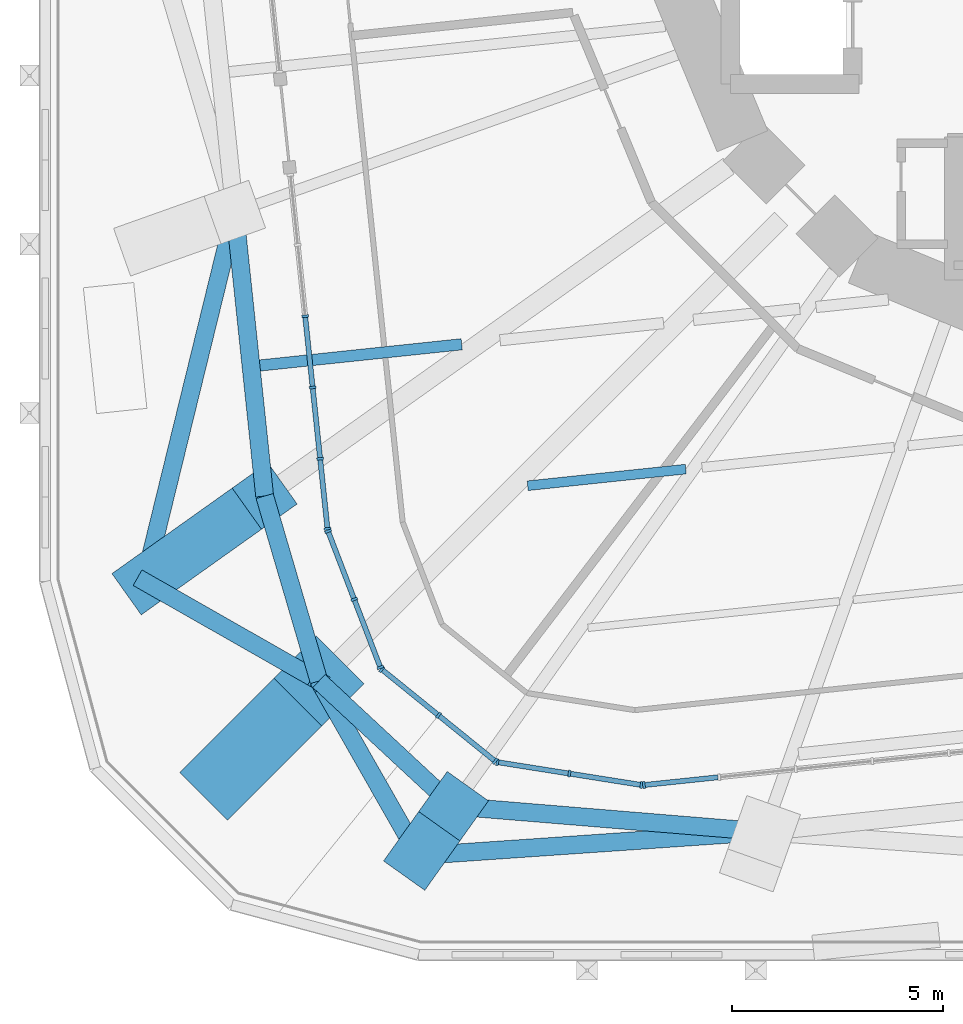
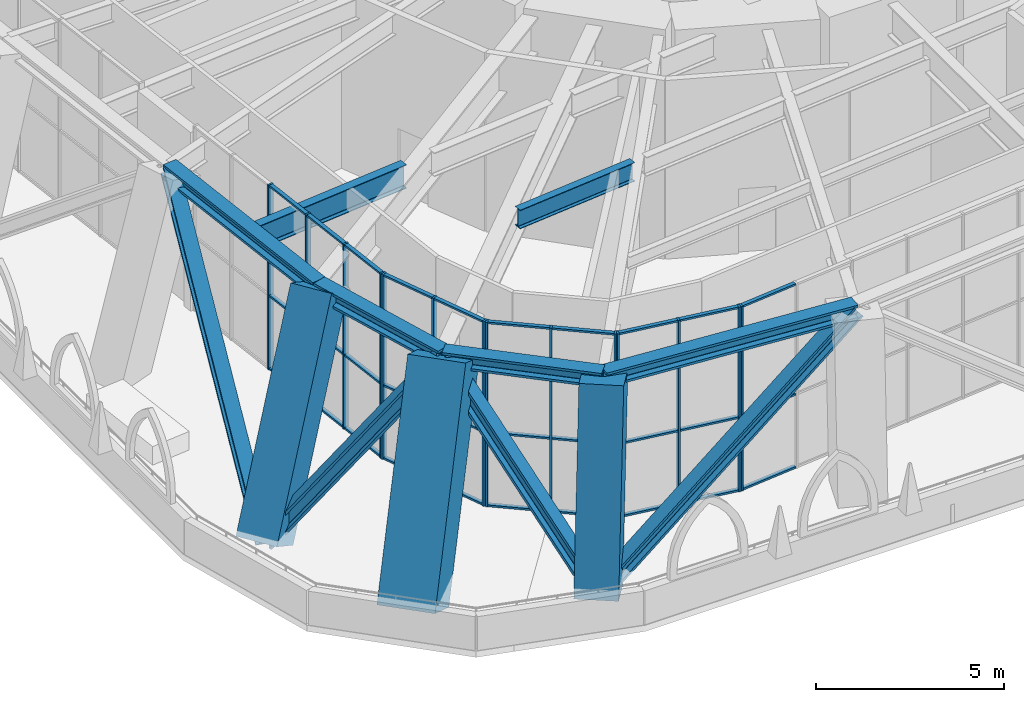
# One storey, part 1 of 20: 55 members, 2 beams, 5 elements without a shape of their own.
"""IFC4 building model written with IfcOpenShell, lengths in metres."""

from ifc_helpers import new_model, si_unit, direction, frame, origin, origin_2d, place, context, subcontext, project, spatial, rectangle, i_section, extrude, material, material_profile, profile_set, type_object, element, aggregate, save


model = new_model("IFC4")

# Units and contexts
model_context = context("Model", 3, precision=1e-05, world=origin(), true_north=direction((0.0, 1.0)))
body_context = subcontext(model_context, "Body", "Model", "MODEL_VIEW")
ifc_project = project(units=[si_unit("LENGTHUNIT", "METRE"), si_unit("AREAUNIT", "SQUARE_METRE"), si_unit("VOLUMEUNIT", "CUBIC_METRE"), si_unit("PLANEANGLEUNIT", "RADIAN"), si_unit("MASSUNIT", "GRAM", prefix="KILO")], contexts=[model_context])

# Site, building, storey
site_placement = place(None, origin())
site = spatial("IfcSite", under=ifc_project, at=site_placement, CompositionType="ELEMENT")
building_placement = place(site_placement, origin())
building = spatial("IfcBuilding", under=site, at=building_placement, Name="Nakasero Lantern House", CompositionType="ELEMENT")
storey_placement = place(building_placement, frame((0.0, 0.0, 54.5)))
storey = spatial("IfcBuildingStorey", under=building, at=storey_placement, Name="L13", CompositionType="ELEMENT", Elevation=54.5)

# Members
ifc_material_1 = material(Name="Steel S355", Category="steel")
ifc_material_profile_1 = material_profile(ifc_material_1, i_section(OverallWidth=0.424072265625, OverallDepth=0.474609375, WebThickness=0.047607421875, FlangeThickness=0.076904296875, FilletRadius=0.01513671875, at=origin_2d()), Name="UC 356x406x634")
ifc_profile_set_1 = profile_set([ifc_material_profile_1], Name="Steel S355")
member_type_1 = type_object("IfcMemberType", Name="Belt truss chord UC 356x406x634", PredefinedType="CHORD", material=ifc_profile_set_1)
member_1_placement = place(storey_placement, frame((-20.35498046875, -7.2373046875, 5.562744140625), z_axis=(0.10452524939, -0.994522233155, 0.0), x_axis=(0.994522233155, 0.10452524939, 0.0)))
element("IfcMember", 1, at=member_1_placement, inside=storey, type_object=member_type_1, Name="Belt truss top chord T1 B2-C16T", PredefinedType="CHORD", context=body_context, shape_type="SweptSolid", body=[
    extrude(i_section(OverallWidth=0.424072265625, OverallDepth=0.474609375, WebThickness=0.047607421875, FlangeThickness=0.076904296875, FilletRadius=0.01513671875, at=origin_2d()), origin(), (0.0, 0.0, 1.0), 6.771240234375),
])
member_2_placement = place(storey_placement, frame((-19.647216796875, -13.971435546875, 5.562744140625), z_axis=(0.28161710443, -0.959526865957, 0.0), x_axis=(0.959526865957, 0.28161710443, 0.0)))
element("IfcMember", 2, at=member_2_placement, inside=storey, type_object=member_type_1, Name="Belt truss top chord T1 B2-C17T", PredefinedType="CHORD", context=body_context, shape_type="SweptSolid", body=[
    extrude(i_section(OverallWidth=0.424072265625, OverallDepth=0.474609375, WebThickness=0.047607421875, FlangeThickness=0.076904296875, FilletRadius=0.01513671875, at=origin_2d()), origin(), (0.0, 0.0, 1.0), 4.572998046875),
])
member_3_placement = place(storey_placement, frame((-18.359375, -18.359375, 5.562744140625), z_axis=(0.732370510336, -0.680906333933, 0.0), x_axis=(0.680906333933, 0.732370510336, 0.0)))
element("IfcMember", 3, at=member_3_placement, inside=storey, type_object=member_type_1, Name="Belt truss top chord T1 B2-C18T", PredefinedType="CHORD", context=body_context, shape_type="SweptSolid", body=[
    extrude(i_section(OverallWidth=0.424072265625, OverallDepth=0.474609375, WebThickness=0.047607421875, FlangeThickness=0.076904296875, FilletRadius=0.01513671875, at=origin_2d()), origin(), (0.0, 0.0, 1.0), 4.359619140625),
])
member_4_placement = place(storey_placement, frame((-15.16650390625, -21.327880859375, 5.562744140625), z_axis=(0.996618261264, -0.08217080574, 0.0), x_axis=(0.08217080574, 0.996618261264, 0.0)))
element("IfcMember", 4, at=member_4_placement, inside=storey, type_object=member_type_1, Name="Belt truss top chord T1 B2-C19T", PredefinedType="CHORD", context=body_context, shape_type="SweptSolid", body=[
    extrude(i_section(OverallWidth=0.424072265625, OverallDepth=0.474609375, WebThickness=0.047607421875, FlangeThickness=0.076904296875, FilletRadius=0.01513671875, at=origin_2d()), origin(), (0.0, 0.0, 1.0), 7.39208984375),
])
ifc_material_2 = material(Name="Steel S355", Category="steel")
ifc_material_profile_2 = material_profile(ifc_material_2, i_section(OverallWidth=0.424072265625, OverallDepth=0.474609375, WebThickness=0.047607421875, FlangeThickness=0.076904296875, FilletRadius=0.01513671875, at=origin_2d()), Name="UC 356x406x634")
ifc_profile_set_2 = profile_set([ifc_material_profile_2], Name="Steel S355")
member_type_2 = type_object("IfcMemberType", Name="Belt truss diagonal UC 356x406x634", PredefinedType="BRACE", material=ifc_profile_set_2)
member_5_placement = place(storey_placement, frame((-20.35498046875, -7.2373046875, 5.562744140625), z_axis=(-0.197980863346, -0.808778641842, -0.553787582244), x_axis=(0.971321551042, -0.237769729952, 0.0)))
element("IfcMember", 5, at=member_5_placement, inside=storey, type_object=member_type_2, Name="Belt truss diagonal T1-16", PredefinedType="BRACE", context=body_context, shape_type="SweptSolid", body=[
    extrude(i_section(OverallWidth=0.424072265625, OverallDepth=0.474609375, WebThickness=0.047607421875, FlangeThickness=0.076904296875, FilletRadius=0.01513671875, at=origin_2d()), origin(), (0.0, 0.0, 1.0), 10.83447265625),
])
for number, where, z_axis, x_axis, name in (
    (6, (-22.5, -16.0, -0.437255859375), (0.540386618811, -0.307918412983, 0.783050798579), (0.495079306219, 0.86884778906, 0.0), "Belt truss diagonal T1-17"),
    (7, (-18.359375, -18.359375, 5.562744140625), (0.307918412983, -0.540386618811, -0.783050798579), (0.86884778906, 0.495079306219, 0.0), "Belt truss diagonal T1-18"),
):
    element("IfcMember", number, at=place(storey_placement, frame(where, z_axis=z_axis, x_axis=x_axis)), inside=storey, type_object=member_type_2, Name=name, PredefinedType="BRACE", context=body_context, shape_type="SweptSolid", body=[
        extrude(i_section(OverallWidth=0.424072265625, OverallDepth=0.474609375, WebThickness=0.047607421875, FlangeThickness=0.076904296875, FilletRadius=0.01513671875, at=origin_2d()), origin(), (0.0, 0.0, 1.0), 7.662353515625),
    ])
member_6_placement = place(storey_placement, frame((-16.0, -22.5, -0.437255859375), z_axis=(0.805810402985, 0.055487926827, 0.589568218629), x_axis=(-0.068697102838, 0.997637563478, 0.0)))
element("IfcMember", 8, at=member_6_placement, inside=storey, type_object=member_type_2, Name="Belt truss diagonal T1-19", PredefinedType="BRACE", context=body_context, shape_type="SweptSolid", body=[
    extrude(i_section(OverallWidth=0.424072265625, OverallDepth=0.474609375, WebThickness=0.047607421875, FlangeThickness=0.076904296875, FilletRadius=0.01513671875, at=origin_2d()), origin(), (0.0, 0.0, 1.0), 10.177001953125),
])

# Beams
ifc_material_3 = material(Name="Steel S355", Category="steel")
ifc_material_profile_3 = material_profile(ifc_material_3, i_section(OverallWidth=0.22900390625, OverallDepth=0.6123046875, WebThickness=0.011962890625, FlangeThickness=0.01953125, FilletRadius=0.0126953125, at=origin_2d()), Name="UB 610x229x125")
ifc_profile_set_3 = profile_set([ifc_material_profile_3], Name="Steel S355")
beam_type_1 = type_object("IfcBeamType", Name="Infill beam UB 610x229x125", PredefinedType="JOIST", material=ifc_profile_set_3)
beam_1_placement = place(storey_placement, frame((-13.40869140625, -13.726806640625, 5.493896484375), z_axis=(0.994518933326, 0.104556641375, 0.0), x_axis=(-0.104556641375, 0.994518933326, 0.0)))
element("IfcBeam", 9, at=beam_1_placement, inside=storey, type_object=beam_type_1, Name="Infill beam L14 04.1", PredefinedType="JOIST", context=body_context, shape_type="SweptSolid", body=[
    extrude(i_section(OverallWidth=0.22900390625, OverallDepth=0.6123046875, WebThickness=0.011962890625, FlangeThickness=0.01953125, FilletRadius=0.0126953125, at=origin_2d()), origin(), (0.0, 0.0, 1.0), 3.768798828125),
])
ifc_material_4 = material(Name="Steel S355", Category="steel")
ifc_material_profile_4 = material_profile(ifc_material_4, i_section(OverallWidth=0.2666015625, OverallDepth=0.76220703125, WebThickness=0.014404296875, FlangeThickness=0.021484375, FilletRadius=0.0166015625, at=origin_2d()), Name="UB 762x267x173")
ifc_profile_set_4 = profile_set([ifc_material_profile_4], Name="Steel S355")
beam_type_2 = type_object("IfcBeamType", Name="Infill beam UB 762x267x173", PredefinedType="JOIST", material=ifc_profile_set_4)
beam_2_placement = place(storey_placement, frame((-19.759521484375, -10.875, 5.4189453125), z_axis=(0.994523230839, 0.104515756327, 0.0), x_axis=(-0.104515756327, 0.994523230839, 0.0)))
element("IfcBeam", 10, at=beam_2_placement, inside=storey, type_object=beam_type_2, Name="Infill beam L14 05.1", PredefinedType="JOIST", context=body_context, shape_type="SweptSolid", body=[
    extrude(i_section(OverallWidth=0.2666015625, OverallDepth=0.76220703125, WebThickness=0.014404296875, FlangeThickness=0.021484375, FilletRadius=0.0166015625, at=origin_2d()), origin(), (0.0, 0.0, 1.0), 4.81201171875),
])

# Curtain wall, members
ifc_material_5 = material(Name="Aluminium 6063-T6 and glass", Category="aluminium")
curtain_wall_type = type_object("IfcCurtainWallType", Name="Sky lounge glazing CW-3", PredefinedType="USERDEFINED", material=ifc_material_5)
curtain_wall_1_placement = place(storey_placement, origin())
curtain_wall_1 = element("IfcCurtainWall", 11, at=curtain_wall_1_placement, inside=storey, type_object=curtain_wall_type, Name="Curtain wall CW-3 L13", ObjectType="STICK CURTAIN WALL", PredefinedType="USERDEFINED")
ifc_material_6 = material(Name="Aluminium 6063-T6", Category="aluminium")
ifc_material_profile_5 = material_profile(ifc_material_6, rectangle(XDim=0.06005859375, YDim=0.159912109375, at=origin_2d()), Name="CW-3 mullion 60x160")
ifc_profile_set_5 = profile_set([ifc_material_profile_5], Name="Aluminium 6063-T6")
member_type_3 = type_object("IfcMemberType", Name="Mullion CW-3", PredefinedType="MULLION", material=ifc_profile_set_5)
member_7_placement = place(storey_placement, frame((-18.686767578125, -9.70654296875, 0.0), z_axis=(0.0, 0.0, 1.0), x_axis=(0.104528463268, -0.994521895368, 0.0)))
member_7 = element("IfcMember", 12, at=member_7_placement, type_object=member_type_3, Name="CW-3 mullion 3", PredefinedType="MULLION", context=body_context, shape_type="SweptSolid", body=[
    extrude(rectangle(XDim=0.06005859375, YDim=0.159912109375, at=origin_2d()), origin(), (0.0, 0.0, 1.0), 6.0),
])
member_8_placement = place(storey_placement, frame((-18.509033203125, -11.397216796875, 0.0), z_axis=(0.0, 0.0, 1.0), x_axis=(0.104528463268, -0.994521895368, 0.0)))
member_8 = element("IfcMember", 13, at=member_8_placement, type_object=member_type_3, Name="CW-3 mullion 4", PredefinedType="MULLION", context=body_context, shape_type="SweptSolid", body=[
    extrude(rectangle(XDim=0.06005859375, YDim=0.159912109375, at=origin_2d()), origin(), (0.0, 0.0, 1.0), 6.0),
])
member_9_placement = place(storey_placement, frame((-18.331298828125, -13.087890625, 0.0), z_axis=(0.0, 0.0, 1.0), x_axis=(0.104528463268, -0.994521895368, 0.0)))
member_9 = element("IfcMember", 14, at=member_9_placement, type_object=member_type_3, Name="CW-3 mullion 5", PredefinedType="MULLION", context=body_context, shape_type="SweptSolid", body=[
    extrude(rectangle(XDim=0.06005859375, YDim=0.159912109375, at=origin_2d()), origin(), (0.0, 0.0, 1.0), 6.0),
])
member_10_placement = place(storey_placement, frame((-18.15673828125, -14.748779296875, 0.0), z_axis=(0.0, 0.0, 1.0), x_axis=(0.104528463268, -0.994521895368, 0.0)))
member_10 = element("IfcMember", 15, at=member_10_placement, type_object=member_type_3, Name="CW-3 mullion 6", PredefinedType="MULLION", context=body_context, shape_type="SweptSolid", body=[
    extrude(rectangle(XDim=0.06005859375, YDim=0.159912109375, at=origin_2d()), origin(), (0.0, 0.0, 1.0), 6.0),
])

curtain_wall_2_placement = place(storey_placement, origin())
curtain_wall_2 = element("IfcCurtainWall", 16, at=curtain_wall_2_placement, inside=storey, type_object=curtain_wall_type, Name="Curtain wall CW-3 L13", ObjectType="STICK CURTAIN WALL", PredefinedType="USERDEFINED")
member_11_placement = place(storey_placement, frame((-18.142822265625, -14.806640625, 0.0), z_axis=(0.0, 0.0, 1.0), x_axis=(0.358367949545, -0.933580426497, 0.0)))
member_11 = element("IfcMember", 17, at=member_11_placement, type_object=member_type_3, Name="CW-3 mullion 1", PredefinedType="MULLION", context=body_context, shape_type="SweptSolid", body=[
    extrude(rectangle(XDim=0.06005859375, YDim=0.159912109375, at=origin_2d()), origin(), (0.0, 0.0, 1.0), 6.0),
])
member_12_placement = place(storey_placement, frame((-17.52294921875, -16.42138671875, 0.0), z_axis=(0.0, 0.0, 1.0), x_axis=(0.358367949545, -0.933580426497, 0.0)))
member_12 = element("IfcMember", 18, at=member_12_placement, type_object=member_type_3, Name="CW-3 mullion 2", PredefinedType="MULLION", context=body_context, shape_type="SweptSolid", body=[
    extrude(rectangle(XDim=0.06005859375, YDim=0.159912109375, at=origin_2d()), origin(), (0.0, 0.0, 1.0), 6.0),
])
member_13_placement = place(storey_placement, frame((-16.903076171875, -18.0361328125, 0.0), z_axis=(0.0, 0.0, 1.0), x_axis=(0.358367949545, -0.933580426497, 0.0)))
member_13 = element("IfcMember", 19, at=member_13_placement, type_object=member_type_3, Name="CW-3 mullion 3", PredefinedType="MULLION", context=body_context, shape_type="SweptSolid", body=[
    extrude(rectangle(XDim=0.06005859375, YDim=0.159912109375, at=origin_2d()), origin(), (0.0, 0.0, 1.0), 6.0),
])

curtain_wall_3_placement = place(storey_placement, origin())
curtain_wall_3 = element("IfcCurtainWall", 20, at=curtain_wall_3_placement, inside=storey, type_object=curtain_wall_type, Name="Curtain wall CW-3 L13", ObjectType="STICK CURTAIN WALL", PredefinedType="USERDEFINED")
member_14_placement = place(storey_placement, frame((-16.869140625, -18.0830078125, 0.0), z_axis=(0.0, 0.0, 1.0), x_axis=(0.777145961457, -0.62932039105, 0.0)))
member_14 = element("IfcMember", 21, at=member_14_placement, type_object=member_type_3, Name="CW-3 mullion 1", PredefinedType="MULLION", context=body_context, shape_type="SweptSolid", body=[
    extrude(rectangle(XDim=0.06005859375, YDim=0.159912109375, at=origin_2d()), origin(), (0.0, 0.0, 1.0), 6.0),
])
member_15_placement = place(storey_placement, frame((-15.52490234375, -19.171630859375, 0.0), z_axis=(0.0, 0.0, 1.0), x_axis=(0.777145961457, -0.62932039105, 0.0)))
member_15 = element("IfcMember", 22, at=member_15_placement, type_object=member_type_3, Name="CW-3 mullion 2", PredefinedType="MULLION", context=body_context, shape_type="SweptSolid", body=[
    extrude(rectangle(XDim=0.06005859375, YDim=0.159912109375, at=origin_2d()), origin(), (0.0, 0.0, 1.0), 6.0),
])
member_16_placement = place(storey_placement, frame((-14.1806640625, -20.26025390625, 0.0), z_axis=(0.0, 0.0, 1.0), x_axis=(0.777145961457, -0.62932039105, 0.0)))
member_16 = element("IfcMember", 23, at=member_16_placement, type_object=member_type_3, Name="CW-3 mullion 3", PredefinedType="MULLION", context=body_context, shape_type="SweptSolid", body=[
    extrude(rectangle(XDim=0.06005859375, YDim=0.159912109375, at=origin_2d()), origin(), (0.0, 0.0, 1.0), 6.0),
])

curtain_wall_4_placement = place(storey_placement, origin())
curtain_wall_4 = element("IfcCurtainWall", 24, at=curtain_wall_4_placement, inside=storey, type_object=curtain_wall_type, Name="Curtain wall CW-3 L13", ObjectType="STICK CURTAIN WALL", PredefinedType="USERDEFINED")
member_17_placement = place(storey_placement, frame((-14.127685546875, -20.28369140625, 0.0), z_axis=(0.0, 0.0, 1.0), x_axis=(0.987688340595, -0.15643446504, 0.0)))
member_17 = element("IfcMember", 25, at=member_17_placement, type_object=member_type_3, Name="CW-3 mullion 1", PredefinedType="MULLION", context=body_context, shape_type="SweptSolid", body=[
    extrude(rectangle(XDim=0.06005859375, YDim=0.159912109375, at=origin_2d()), origin(), (0.0, 0.0, 1.0), 6.0),
])
member_18_placement = place(storey_placement, frame((-12.419189453125, -20.55419921875, 0.0), z_axis=(0.0, 0.0, 1.0), x_axis=(0.987688340595, -0.15643446504, 0.0)))
member_18 = element("IfcMember", 26, at=member_18_placement, type_object=member_type_3, Name="CW-3 mullion 2", PredefinedType="MULLION", context=body_context, shape_type="SweptSolid", body=[
    extrude(rectangle(XDim=0.06005859375, YDim=0.159912109375, at=origin_2d()), origin(), (0.0, 0.0, 1.0), 6.0),
])
member_19_placement = place(storey_placement, frame((-10.7109375, -20.824951171875, 0.0), z_axis=(0.0, 0.0, 1.0), x_axis=(0.987688340595, -0.15643446504, 0.0)))
member_19 = element("IfcMember", 27, at=member_19_placement, type_object=member_type_3, Name="CW-3 mullion 3", PredefinedType="MULLION", context=body_context, shape_type="SweptSolid", body=[
    extrude(rectangle(XDim=0.06005859375, YDim=0.159912109375, at=origin_2d()), origin(), (0.0, 0.0, 1.0), 6.0),
])

# Curtain wall, member
curtain_wall_5_placement = place(storey_placement, origin())
curtain_wall_5 = element("IfcCurtainWall", 28, at=curtain_wall_5_placement, inside=storey, type_object=curtain_wall_type, Name="Curtain wall CW-3 L13", ObjectType="STICK CURTAIN WALL", PredefinedType="USERDEFINED")
member_20_placement = place(storey_placement, frame((-10.6513671875, -20.826416015625, 0.0), z_axis=(0.0, 0.0, 1.0), x_axis=(0.994521895368, 0.104528463268, 0.0)))
member_20 = element("IfcMember", 29, at=member_20_placement, type_object=member_type_3, Name="CW-3 mullion 1", PredefinedType="MULLION", context=body_context, shape_type="SweptSolid", body=[
    extrude(rectangle(XDim=0.06005859375, YDim=0.159912109375, at=origin_2d()), origin(), (0.0, 0.0, 1.0), 6.0),
])

# Members
ifc_material_7 = material(Name="Concrete C50/60", Category="concrete")
ifc_material_profile_6 = material_profile(ifc_material_7, rectangle(XDim=1.199951171875, YDim=1.199951171875, at=origin_2d()), Name="RC 1200x1200")
ifc_profile_set_6 = profile_set([ifc_material_profile_6], Name="Concrete C50/60")
member_type_4 = type_object("IfcMemberType", Name="Raking column RC 1200x1200 C50/60", PredefinedType="STRUT", material=ifc_profile_set_6)
member_21_placement = place(storey_placement, frame((-22.5, -16.0, -0.437255859375), z_axis=(0.410680992611, 0.292028101635, 0.863748059427), x_axis=(-0.579508345901, 0.814966304231, 0.0)))
element("IfcMember", 30, at=member_21_placement, inside=storey, type_object=member_type_4, Name="Raking column B2-C17T L13", PredefinedType="STRUT", context=body_context, shape_type="SweptSolid", body=[
    extrude(rectangle(XDim=1.199951171875, YDim=1.199951171875, at=origin_2d()), origin(), (0.0, 0.0, 1.0), 6.946533203125),
])
member_22_placement = place(storey_placement, frame((-16.0, -22.5, -0.437255859375), z_axis=(0.135089077411, 0.189971488181, 0.972451425441), x_axis=(-0.814958887641, 0.579518775757, 0.0)))
element("IfcMember", 31, at=member_22_placement, inside=storey, type_object=member_type_4, Name="Raking column B2-C19T L13", PredefinedType="STRUT", context=body_context, shape_type="SweptSolid", body=[
    extrude(rectangle(XDim=1.199951171875, YDim=1.199951171875, at=origin_2d()), origin(), (0.0, 0.0, 1.0), 6.169921875),
])
ifc_material_8 = material(Name="Concrete C50/60", Category="concrete")
ifc_material_profile_7 = material_profile(ifc_material_8, rectangle(XDim=1.60009765625, YDim=1.60009765625, at=origin_2d()), Name="RC 1600x1600")
ifc_profile_set_7 = profile_set([ifc_material_profile_7], Name="Concrete C50/60")
member_type_5 = type_object("IfcMemberType", Name="Raking column RC 1600x1600 C50/60", PredefinedType="STRUT", material=ifc_profile_set_7)
member_23_placement = place(storey_placement, frame((-20.59619140625, -20.59619140625, -0.437255859375), z_axis=(0.329776587984, 0.329776587984, 0.88458736371), x_axis=(-0.707106781187, 0.707106781187, 0.0)))
element("IfcMember", 32, at=member_23_placement, inside=storey, type_object=member_type_5, Name="Raking column B2-C18T L13", PredefinedType="STRUT", context=body_context, shape_type="SweptSolid", body=[
    extrude(rectangle(XDim=1.60009765625, YDim=1.60009765625, at=origin_2d()), origin(), (0.0, 0.0, 1.0), 6.78271484375),
])

# Member
ifc_material_9 = material(Name="Aluminium 6063-T6", Category="aluminium")
ifc_material_profile_8 = material_profile(ifc_material_9, rectangle(XDim=0.06005859375, YDim=0.1201171875, at=origin_2d()), Name="CW-3 transom 60x120")
ifc_profile_set_8 = profile_set([ifc_material_profile_8], Name="Aluminium 6063-T6")
member_type_6 = type_object("IfcMemberType", Name="Transom CW-3", PredefinedType="USERDEFINED", material=ifc_profile_set_8)
member_24_placement = place(storey_placement, frame((-18.68359375, -9.736328125, 0.030029296875), z_axis=(0.104498811264, -0.994525011473, 0.0), x_axis=(0.0, 0.0, 1.0)))
member_24 = element("IfcMember", 33, at=member_24_placement, type_object=member_type_6, Name="CW-3 transom 3.1", ObjectType="TRANSOM", PredefinedType="USERDEFINED", context=body_context, shape_type="SweptSolid", body=[
    extrude(rectangle(XDim=0.06005859375, YDim=0.1201171875, at=origin_2d()), origin(), (0.0, 0.0, 1.0), 1.64013671875),
])

member_25_placement = place(storey_placement, frame((-18.68359375, -9.736328125, 2.39990234375), z_axis=(0.104498811264, -0.994525011473, 0.0), x_axis=(0.0, 0.0, 1.0)))
member_25 = element("IfcMember", 34, at=member_25_placement, type_object=member_type_6, Name="CW-3 transom 3.2", ObjectType="TRANSOM", PredefinedType="USERDEFINED", context=body_context, shape_type="SweptSolid", body=[
    extrude(rectangle(XDim=0.06005859375, YDim=0.1201171875, at=origin_2d()), origin(), (0.0, 0.0, 1.0), 1.64013671875),
])

member_26_placement = place(storey_placement, frame((-18.68359375, -9.736328125, 5.969970703125), z_axis=(0.104498811264, -0.994525011473, 0.0), x_axis=(0.0, 0.0, 1.0)))
member_26 = element("IfcMember", 35, at=member_26_placement, type_object=member_type_6, Name="CW-3 transom 3.3", ObjectType="TRANSOM", PredefinedType="USERDEFINED", context=body_context, shape_type="SweptSolid", body=[
    extrude(rectangle(XDim=0.06005859375, YDim=0.1201171875, at=origin_2d()), origin(), (0.0, 0.0, 1.0), 1.64013671875),
])

member_27_placement = place(storey_placement, frame((-18.505859375, -11.427001953125, 0.030029296875), z_axis=(0.104498811264, -0.994525011473, 0.0), x_axis=(0.0, 0.0, 1.0)))
member_27 = element("IfcMember", 36, at=member_27_placement, type_object=member_type_6, Name="CW-3 transom 4.1", ObjectType="TRANSOM", PredefinedType="USERDEFINED", context=body_context, shape_type="SweptSolid", body=[
    extrude(rectangle(XDim=0.06005859375, YDim=0.1201171875, at=origin_2d()), origin(), (0.0, 0.0, 1.0), 1.64013671875),
])

member_28_placement = place(storey_placement, frame((-18.505859375, -11.427001953125, 2.39990234375), z_axis=(0.104498811264, -0.994525011473, 0.0), x_axis=(0.0, 0.0, 1.0)))
member_28 = element("IfcMember", 37, at=member_28_placement, type_object=member_type_6, Name="CW-3 transom 4.2", ObjectType="TRANSOM", PredefinedType="USERDEFINED", context=body_context, shape_type="SweptSolid", body=[
    extrude(rectangle(XDim=0.06005859375, YDim=0.1201171875, at=origin_2d()), origin(), (0.0, 0.0, 1.0), 1.64013671875),
])

member_29_placement = place(storey_placement, frame((-18.505859375, -11.427001953125, 5.969970703125), z_axis=(0.104498811264, -0.994525011473, 0.0), x_axis=(0.0, 0.0, 1.0)))
member_29 = element("IfcMember", 38, at=member_29_placement, type_object=member_type_6, Name="CW-3 transom 4.3", ObjectType="TRANSOM", PredefinedType="USERDEFINED", context=body_context, shape_type="SweptSolid", body=[
    extrude(rectangle(XDim=0.06005859375, YDim=0.1201171875, at=origin_2d()), origin(), (0.0, 0.0, 1.0), 1.64013671875),
])

member_30_placement = place(storey_placement, frame((-18.328125, -13.11767578125, 0.030029296875), z_axis=(0.104487428624, -0.994526207427, 0.0), x_axis=(0.0, 0.0, 1.0)))
member_30 = element("IfcMember", 39, at=member_30_placement, type_object=member_type_6, Name="CW-3 transom 5.1", ObjectType="TRANSOM", PredefinedType="USERDEFINED", context=body_context, shape_type="SweptSolid", body=[
    extrude(rectangle(XDim=0.06005859375, YDim=0.1201171875, at=origin_2d()), origin(), (0.0, 0.0, 1.0), 1.60986328125),
])

member_31_placement = place(storey_placement, frame((-18.328125, -13.11767578125, 2.39990234375), z_axis=(0.104487428624, -0.994526207427, 0.0), x_axis=(0.0, 0.0, 1.0)))
member_31 = element("IfcMember", 40, at=member_31_placement, type_object=member_type_6, Name="CW-3 transom 5.2", ObjectType="TRANSOM", PredefinedType="USERDEFINED", context=body_context, shape_type="SweptSolid", body=[
    extrude(rectangle(XDim=0.06005859375, YDim=0.1201171875, at=origin_2d()), origin(), (0.0, 0.0, 1.0), 1.60986328125),
])

member_32_placement = place(storey_placement, frame((-18.328125, -13.11767578125, 5.969970703125), z_axis=(0.104487428624, -0.994526207427, 0.0), x_axis=(0.0, 0.0, 1.0)))
member_32 = element("IfcMember", 41, at=member_32_placement, type_object=member_type_6, Name="CW-3 transom 5.3", ObjectType="TRANSOM", PredefinedType="USERDEFINED", context=body_context, shape_type="SweptSolid", body=[
    extrude(rectangle(XDim=0.06005859375, YDim=0.1201171875, at=origin_2d()), origin(), (0.0, 0.0, 1.0), 1.60986328125),
])

aggregate(curtain_wall_1, [member_7, member_8, member_9, member_10, member_24, member_25, member_26, member_27, member_28, member_29, member_30, member_31, member_32])

member_33_placement = place(storey_placement, frame((-18.132080078125, -14.83447265625, 0.030029296875), z_axis=(0.358371535133, -0.933579050111, 0.0), x_axis=(0.0, 0.0, 1.0)))
member_33 = element("IfcMember", 42, at=member_33_placement, type_object=member_type_6, Name="CW-3 transom 1.1", ObjectType="TRANSOM", PredefinedType="USERDEFINED", context=body_context, shape_type="SweptSolid", body=[
    extrude(rectangle(XDim=0.06005859375, YDim=0.1201171875, at=origin_2d()), origin(), (0.0, 0.0, 1.0), 1.669677734375),
])

member_34_placement = place(storey_placement, frame((-18.132080078125, -14.83447265625, 2.39990234375), z_axis=(0.358371535133, -0.933579050111, 0.0), x_axis=(0.0, 0.0, 1.0)))
member_34 = element("IfcMember", 43, at=member_34_placement, type_object=member_type_6, Name="CW-3 transom 1.2", ObjectType="TRANSOM", PredefinedType="USERDEFINED", context=body_context, shape_type="SweptSolid", body=[
    extrude(rectangle(XDim=0.06005859375, YDim=0.1201171875, at=origin_2d()), origin(), (0.0, 0.0, 1.0), 1.669677734375),
])

member_35_placement = place(storey_placement, frame((-18.132080078125, -14.83447265625, 5.969970703125), z_axis=(0.358371535133, -0.933579050111, 0.0), x_axis=(0.0, 0.0, 1.0)))
member_35 = element("IfcMember", 44, at=member_35_placement, type_object=member_type_6, Name="CW-3 transom 1.3", ObjectType="TRANSOM", PredefinedType="USERDEFINED", context=body_context, shape_type="SweptSolid", body=[
    extrude(rectangle(XDim=0.06005859375, YDim=0.1201171875, at=origin_2d()), origin(), (0.0, 0.0, 1.0), 1.669677734375),
])

member_36_placement = place(storey_placement, frame((-17.51220703125, -16.449462890625, 0.030029296875), z_axis=(0.358371535133, -0.933579050111, 0.0), x_axis=(0.0, 0.0, 1.0)))
member_36 = element("IfcMember", 45, at=member_36_placement, type_object=member_type_6, Name="CW-3 transom 2.1", ObjectType="TRANSOM", PredefinedType="USERDEFINED", context=body_context, shape_type="SweptSolid", body=[
    extrude(rectangle(XDim=0.06005859375, YDim=0.1201171875, at=origin_2d()), origin(), (0.0, 0.0, 1.0), 1.669677734375),
])

member_37_placement = place(storey_placement, frame((-17.51220703125, -16.449462890625, 2.39990234375), z_axis=(0.358371535133, -0.933579050111, 0.0), x_axis=(0.0, 0.0, 1.0)))
member_37 = element("IfcMember", 46, at=member_37_placement, type_object=member_type_6, Name="CW-3 transom 2.2", ObjectType="TRANSOM", PredefinedType="USERDEFINED", context=body_context, shape_type="SweptSolid", body=[
    extrude(rectangle(XDim=0.06005859375, YDim=0.1201171875, at=origin_2d()), origin(), (0.0, 0.0, 1.0), 1.669677734375),
])

member_38_placement = place(storey_placement, frame((-17.51220703125, -16.449462890625, 5.969970703125), z_axis=(0.358371535133, -0.933579050111, 0.0), x_axis=(0.0, 0.0, 1.0)))
member_38 = element("IfcMember", 47, at=member_38_placement, type_object=member_type_6, Name="CW-3 transom 2.3", ObjectType="TRANSOM", PredefinedType="USERDEFINED", context=body_context, shape_type="SweptSolid", body=[
    extrude(rectangle(XDim=0.06005859375, YDim=0.1201171875, at=origin_2d()), origin(), (0.0, 0.0, 1.0), 1.669677734375),
])

aggregate(curtain_wall_2, [member_11, member_12, member_13, member_33, member_34, member_35, member_36, member_37, member_38])

member_39_placement = place(storey_placement, frame((-16.845703125, -18.10205078125, 0.030029296875), z_axis=(0.777146114236, -0.629320202384, 0.0), x_axis=(0.0, 0.0, 1.0)))
member_39 = element("IfcMember", 48, at=member_39_placement, type_object=member_type_6, Name="CW-3 transom 1.1", ObjectType="TRANSOM", PredefinedType="USERDEFINED", context=body_context, shape_type="SweptSolid", body=[
    extrude(rectangle(XDim=0.06005859375, YDim=0.1201171875, at=origin_2d()), origin(), (0.0, 0.0, 1.0), 1.669677734375),
])

member_40_placement = place(storey_placement, frame((-16.845703125, -18.10205078125, 2.39990234375), z_axis=(0.777146114236, -0.629320202384, 0.0), x_axis=(0.0, 0.0, 1.0)))
member_40 = element("IfcMember", 49, at=member_40_placement, type_object=member_type_6, Name="CW-3 transom 1.2", ObjectType="TRANSOM", PredefinedType="USERDEFINED", context=body_context, shape_type="SweptSolid", body=[
    extrude(rectangle(XDim=0.06005859375, YDim=0.1201171875, at=origin_2d()), origin(), (0.0, 0.0, 1.0), 1.669677734375),
])

member_41_placement = place(storey_placement, frame((-16.845703125, -18.10205078125, 5.969970703125), z_axis=(0.777146114236, -0.629320202384, 0.0), x_axis=(0.0, 0.0, 1.0)))
member_41 = element("IfcMember", 50, at=member_41_placement, type_object=member_type_6, Name="CW-3 transom 1.3", ObjectType="TRANSOM", PredefinedType="USERDEFINED", context=body_context, shape_type="SweptSolid", body=[
    extrude(rectangle(XDim=0.06005859375, YDim=0.1201171875, at=origin_2d()), origin(), (0.0, 0.0, 1.0), 1.669677734375),
])

member_42_placement = place(storey_placement, frame((-15.50146484375, -19.1904296875, 0.030029296875), z_axis=(0.777146114236, -0.629320202384, 0.0), x_axis=(0.0, 0.0, 1.0)))
member_42 = element("IfcMember", 51, at=member_42_placement, type_object=member_type_6, Name="CW-3 transom 2.1", ObjectType="TRANSOM", PredefinedType="USERDEFINED", context=body_context, shape_type="SweptSolid", body=[
    extrude(rectangle(XDim=0.06005859375, YDim=0.1201171875, at=origin_2d()), origin(), (0.0, 0.0, 1.0), 1.669677734375),
])

member_43_placement = place(storey_placement, frame((-15.50146484375, -19.1904296875, 2.39990234375), z_axis=(0.777146114236, -0.629320202384, 0.0), x_axis=(0.0, 0.0, 1.0)))
member_43 = element("IfcMember", 52, at=member_43_placement, type_object=member_type_6, Name="CW-3 transom 2.2", ObjectType="TRANSOM", PredefinedType="USERDEFINED", context=body_context, shape_type="SweptSolid", body=[
    extrude(rectangle(XDim=0.06005859375, YDim=0.1201171875, at=origin_2d()), origin(), (0.0, 0.0, 1.0), 1.669677734375),
])

member_44_placement = place(storey_placement, frame((-15.50146484375, -19.1904296875, 5.969970703125), z_axis=(0.777146114236, -0.629320202384, 0.0), x_axis=(0.0, 0.0, 1.0)))
member_44 = element("IfcMember", 53, at=member_44_placement, type_object=member_type_6, Name="CW-3 transom 2.3", ObjectType="TRANSOM", PredefinedType="USERDEFINED", context=body_context, shape_type="SweptSolid", body=[
    extrude(rectangle(XDim=0.06005859375, YDim=0.1201171875, at=origin_2d()), origin(), (0.0, 0.0, 1.0), 1.669677734375),
])

aggregate(curtain_wall_3, [member_14, member_15, member_16, member_39, member_40, member_41, member_42, member_43, member_44])

member_45_placement = place(storey_placement, frame((-14.09814453125, -20.288330078125, 0.030029296875), z_axis=(0.987685785234, -0.156450598105, 0.0), x_axis=(0.0, 0.0, 1.0)))
member_45 = element("IfcMember", 54, at=member_45_placement, type_object=member_type_6, Name="CW-3 transom 1.1", ObjectType="TRANSOM", PredefinedType="USERDEFINED", context=body_context, shape_type="SweptSolid", body=[
    extrude(rectangle(XDim=0.06005859375, YDim=0.1201171875, at=origin_2d()), origin(), (0.0, 0.0, 1.0), 1.669677734375),
])

member_46_placement = place(storey_placement, frame((-14.09814453125, -20.288330078125, 2.39990234375), z_axis=(0.987685785234, -0.156450598105, 0.0), x_axis=(0.0, 0.0, 1.0)))
member_46 = element("IfcMember", 55, at=member_46_placement, type_object=member_type_6, Name="CW-3 transom 1.2", ObjectType="TRANSOM", PredefinedType="USERDEFINED", context=body_context, shape_type="SweptSolid", body=[
    extrude(rectangle(XDim=0.06005859375, YDim=0.1201171875, at=origin_2d()), origin(), (0.0, 0.0, 1.0), 1.669677734375),
])

member_47_placement = place(storey_placement, frame((-14.09814453125, -20.288330078125, 5.969970703125), z_axis=(0.987685785234, -0.156450598105, 0.0), x_axis=(0.0, 0.0, 1.0)))
member_47 = element("IfcMember", 56, at=member_47_placement, type_object=member_type_6, Name="CW-3 transom 1.3", ObjectType="TRANSOM", PredefinedType="USERDEFINED", context=body_context, shape_type="SweptSolid", body=[
    extrude(rectangle(XDim=0.06005859375, YDim=0.1201171875, at=origin_2d()), origin(), (0.0, 0.0, 1.0), 1.669677734375),
])

member_48_placement = place(storey_placement, frame((-12.3896484375, -20.55908203125, 0.030029296875), z_axis=(0.987685785234, -0.156450598105, 0.0), x_axis=(0.0, 0.0, 1.0)))
member_48 = element("IfcMember", 57, at=member_48_placement, type_object=member_type_6, Name="CW-3 transom 2.1", ObjectType="TRANSOM", PredefinedType="USERDEFINED", context=body_context, shape_type="SweptSolid", body=[
    extrude(rectangle(XDim=0.06005859375, YDim=0.1201171875, at=origin_2d()), origin(), (0.0, 0.0, 1.0), 1.669677734375),
])

member_49_placement = place(storey_placement, frame((-12.3896484375, -20.55908203125, 2.39990234375), z_axis=(0.987685785234, -0.156450598105, 0.0), x_axis=(0.0, 0.0, 1.0)))
member_49 = element("IfcMember", 58, at=member_49_placement, type_object=member_type_6, Name="CW-3 transom 2.2", ObjectType="TRANSOM", PredefinedType="USERDEFINED", context=body_context, shape_type="SweptSolid", body=[
    extrude(rectangle(XDim=0.06005859375, YDim=0.1201171875, at=origin_2d()), origin(), (0.0, 0.0, 1.0), 1.669677734375),
])

member_50_placement = place(storey_placement, frame((-12.3896484375, -20.55908203125, 5.969970703125), z_axis=(0.987685785234, -0.156450598105, 0.0), x_axis=(0.0, 0.0, 1.0)))
member_50 = element("IfcMember", 59, at=member_50_placement, type_object=member_type_6, Name="CW-3 transom 2.3", ObjectType="TRANSOM", PredefinedType="USERDEFINED", context=body_context, shape_type="SweptSolid", body=[
    extrude(rectangle(XDim=0.06005859375, YDim=0.1201171875, at=origin_2d()), origin(), (0.0, 0.0, 1.0), 1.669677734375),
])

aggregate(curtain_wall_4, [member_17, member_18, member_19, member_45, member_46, member_47, member_48, member_49, member_50])

member_51_placement = place(storey_placement, frame((-10.62158203125, -20.8232421875, 0.030029296875), z_axis=(0.994534712388, 0.104406445471, 0.0), x_axis=(0.0, 0.0, 1.0)))
member_51 = element("IfcMember", 60, at=member_51_placement, type_object=member_type_6, Name="CW-3 transom 1.1", ObjectType="TRANSOM", PredefinedType="USERDEFINED", context=body_context, shape_type="SweptSolid", body=[
    extrude(rectangle(XDim=0.06005859375, YDim=0.1201171875, at=origin_2d()), origin(), (0.0, 0.0, 1.0), 1.735107421875),
])

member_52_placement = place(storey_placement, frame((-10.62158203125, -20.8232421875, 2.39990234375), z_axis=(0.994534712388, 0.104406445471, 0.0), x_axis=(0.0, 0.0, 1.0)))
member_52 = element("IfcMember", 61, at=member_52_placement, type_object=member_type_6, Name="CW-3 transom 1.2", ObjectType="TRANSOM", PredefinedType="USERDEFINED", context=body_context, shape_type="SweptSolid", body=[
    extrude(rectangle(XDim=0.06005859375, YDim=0.1201171875, at=origin_2d()), origin(), (0.0, 0.0, 1.0), 1.735107421875),
])

member_53_placement = place(storey_placement, frame((-10.62158203125, -20.8232421875, 5.969970703125), z_axis=(0.994534712388, 0.104406445471, 0.0), x_axis=(0.0, 0.0, 1.0)))
member_53 = element("IfcMember", 62, at=member_53_placement, type_object=member_type_6, Name="CW-3 transom 1.3", ObjectType="TRANSOM", PredefinedType="USERDEFINED", context=body_context, shape_type="SweptSolid", body=[
    extrude(rectangle(XDim=0.06005859375, YDim=0.1201171875, at=origin_2d()), origin(), (0.0, 0.0, 1.0), 1.735107421875),
])

aggregate(curtain_wall_5, [member_20, member_51, member_52, member_53])

save(model, "model.ifc")
